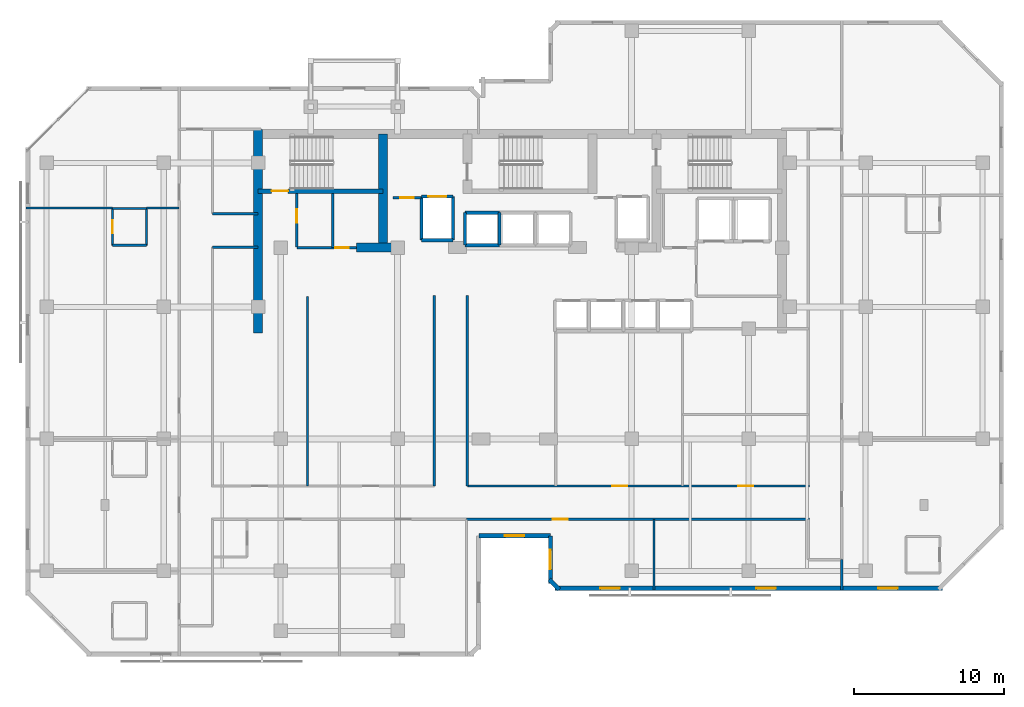
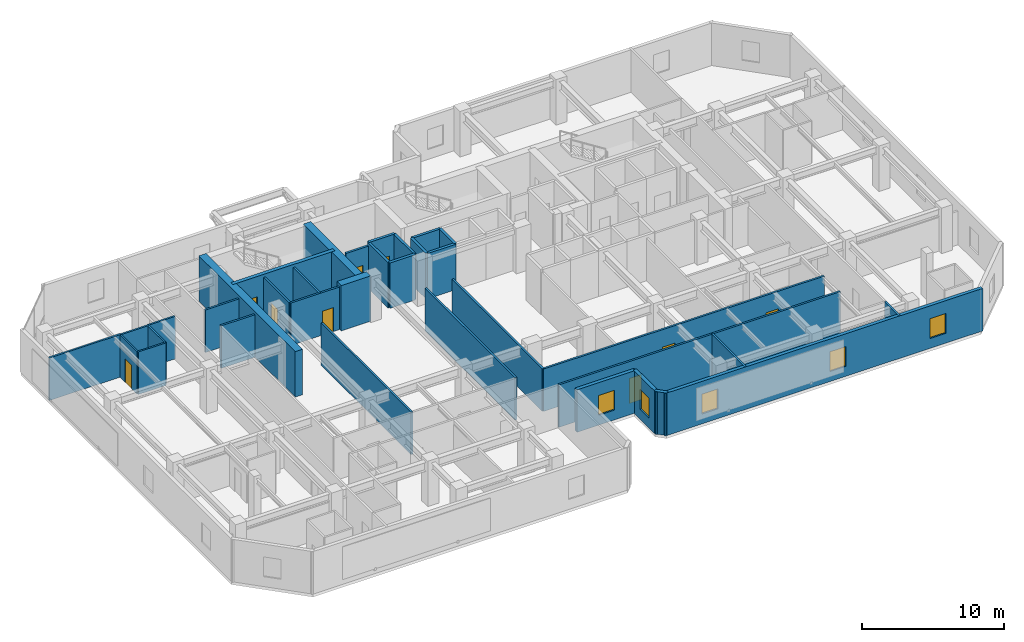
# One storey, part 5 of 10: 35 walls, 9 doors, 5 windows, 14 openings.
"""IFC4 building model written with IfcOpenShell, lengths in metres."""

import ifcopenshell
import ifcopenshell.guid

model = None  # the IFC model being written
_history = None  # IfcOwnerHistory: only IFC2X3 demands one
_inside = {}  # id of a spatial element -> (the spatial element, [elements in it])
_under = {}  # id of a project, library or spatial element -> (it, [spatial elements below it])
_declared = {}  # id of a project -> (the project, [libraries it declares])
_typed = {}  # id of a type object -> (the type object, [elements of that type])
_made_of = {}  # id of a material, layer set ... -> (it, [elements and type objects made of it])


def new_model(schema):
    """Start an empty IFC model of exactly this schema.

    Asked for "IFC4X3", IfcOpenShell would pick the latest addendum, in which some entities
    have other attributes; the version numbers below select the first issue.
    IFC2X3 requires an IfcOwnerHistory on every rooted entity: one is made here for all.
    """
    global model, _history
    if schema == "IFC4X3":
        model = ifcopenshell.file(schema_version=(4, 3, 0, 0))
    else:
        model = ifcopenshell.file(schema=schema)
    _inside.clear()
    _under.clear()
    _declared.clear()
    _typed.clear()
    _made_of.clear()
    _history = None
    if model.schema == "IFC2X3":
        org = make("IfcOrganization", Name="unknown")
        user = make(
            "IfcPersonAndOrganization",
            ThePerson=make("IfcPerson", FamilyName="unknown"),
            TheOrganization=org,
        )
        app = make(
            "IfcApplication",
            ApplicationDeveloper=org,
            Version="unknown",
            ApplicationFullName="unknown",
            ApplicationIdentifier="unknown",
        )
        _history = make(
            "IfcOwnerHistory",
            OwningUser=user,
            OwningApplication=app,
            ChangeAction="ADDED",
            CreationDate=0,
        )
    return model


def make(cls, **values):
    """One entity of the class cls with the attributes given. An attribute that is None is left unset."""
    return model.create_entity(
        cls, **{name: value for name, value in values.items() if value is not None}
    )


def rooted(cls, **values):
    """An entity with a GlobalId (a new one), such as an element, a storey or a relation."""
    return make(cls, GlobalId=ifcopenshell.guid.new(), OwnerHistory=_history, **values)


def si_unit(unit_type, name, prefix=None):
    """IfcSIUnit, for example si_unit("LENGTHUNIT", "METRE", prefix="MILLI")."""
    return make("IfcSIUnit", UnitType=unit_type, Prefix=prefix, Name=name)


def assignment(units):
    """IfcUnitAssignment: the units of a project."""
    return None if units is None else make("IfcUnitAssignment", Units=units)


def point(xyz):
    """IfcCartesianPoint."""
    return None if xyz is None else make("IfcCartesianPoint", Coordinates=xyz)


def direction(xyz):
    """IfcDirection."""
    return None if xyz is None else make("IfcDirection", DirectionRatios=xyz)


def frame(location, z_axis=None, x_axis=None):
    """IfcAxis2Placement3D, a coordinate frame: its origin and axes. An axis left out is left unset."""
    return make(
        "IfcAxis2Placement3D",
        Location=point(location),
        Axis=direction(z_axis),
        RefDirection=direction(x_axis),
    )


def frame_2d(location, x_axis=None):
    """IfcAxis2Placement2D, a coordinate frame in the plane: its origin and x axis."""
    return make(
        "IfcAxis2Placement2D", Location=point(location), RefDirection=direction(x_axis)
    )


def origin():
    """The frame at (0, 0, 0) with its axes left unset."""
    return frame((0.0, 0.0, 0.0))


def place(relative_to, where):
    """IfcLocalPlacement: puts the frame where relative to a parent placement (None: the world)."""
    return make(
        "IfcLocalPlacement", PlacementRelTo=relative_to, RelativePlacement=where
    )


def context(
    kind, dimensions, precision=None, world=None, true_north=None, identifier=None
):
    """IfcGeometricRepresentationContext, for example the 3D "Model" context."""
    return make(
        "IfcGeometricRepresentationContext",
        ContextIdentifier=identifier,
        ContextType=kind,
        CoordinateSpaceDimension=dimensions,
        Precision=precision,
        WorldCoordinateSystem=world,
        TrueNorth=true_north,
    )


def subcontext(parent, identifier, kind, view, scale=None):
    """IfcGeometricRepresentationSubContext, for example "Body" below "Model"."""
    return make(
        "IfcGeometricRepresentationSubContext",
        ContextIdentifier=identifier,
        ContextType=kind,
        ParentContext=parent,
        TargetScale=scale,
        TargetView=view,
    )


def project(units=None, contexts=None):
    """IfcProject with its units and contexts."""
    return rooted(
        "IfcProject",
        Name="project",
        RepresentationContexts=contexts,
        UnitsInContext=assignment(units),
    )


def spatial(cls, under=None, at=None, **own):
    """A site, building, storey or space (cls), placed at a placement, below another one or the project."""
    s = rooted(cls, ObjectPlacement=at, **own)
    if under is not None:
        _under.setdefault(under.id(), (under, []))[1].append(s)
    return s


def profile(cls, at=None, kind="AREA", **sizes):
    """A parametric profile (cls). Its sizes go by their IFC names, for example OverallWidth=200.0."""
    return make(cls, ProfileType=kind, Position=at, **sizes)


def rectangle(**sizes):
    """IfcRectangleProfileDef."""
    return profile("IfcRectangleProfileDef", **sizes)


def extrude(swept, where, along, depth):
    """IfcExtrudedAreaSolid: the profile swept, set in the frame where, extruded along a direction by depth."""
    return make(
        "IfcExtrudedAreaSolid",
        SweptArea=swept,
        Position=where,
        ExtrudedDirection=direction(along),
        Depth=depth,
    )


def shape(context_of_items, identifier, shape_type, items):
    """IfcShapeRepresentation: the items that make up one representation, for example the "Body"."""
    return make(
        "IfcShapeRepresentation",
        ContextOfItems=context_of_items,
        RepresentationIdentifier=identifier,
        RepresentationType=shape_type,
        Items=items,
    )


def material(Name=None, Category=None):
    """IfcMaterial."""
    return make("IfcMaterial", Name=Name, Category=Category)


def layer(
    of_material, thickness, ventilated=None, Name=None, Category=None, Priority=None
):
    """IfcMaterialLayer: one layer of a wall or slab, of a material (None: an air gap)."""
    return make(
        "IfcMaterialLayer",
        Material=of_material,
        LayerThickness=thickness,
        IsVentilated=ventilated,
        Name=Name,
        Category=Category,
        Priority=Priority,
    )


def layer_set(layers, Name=None):
    """IfcMaterialLayerSet."""
    return make("IfcMaterialLayerSet", MaterialLayers=layers, LayerSetName=Name)


def made_of(thing, what):
    """Note that an element or type object is made of a material, layer set ...; save() writes the relation."""
    if what is not None:
        _made_of.setdefault(what.id(), (what, []))[1].append(thing)
    return thing


def type_object(cls, material=None, **own):
    """A type object (cls), such as IfcWallType, which elements share."""
    return made_of(rooted(cls, **own), material)


def element(
    cls,
    number,
    at=None,
    inside=None,
    cuts=None,
    type_object=None,
    material=None,
    context=None,
    identifier="Body",
    shape_type=None,
    held_by="IfcProductDefinitionShape",
    body=None,
    shapes=None,
    **own,
):
    """One element of the class cls, such as IfcWall. Its Tag is "e" and its number.

    at: its placement. inside: the storey or other place that contains it. cuts: it is an
    opening in that element (IfcRelVoidsElement). A single representation is given by context,
    identifier, shape_type and body (its items); several are given by shapes. held_by: the class
    of the entity that holds the representations. save() writes the other relations.
    """
    e = rooted(cls, Tag="e%d" % number, ObjectPlacement=at, **own)
    if body is not None:
        shapes = [shape(context, identifier, shape_type, body)]
    if shapes is not None:
        e.Representation = make(held_by, Representations=shapes)
    if inside is not None:
        _inside.setdefault(inside.id(), (inside, []))[1].append(e)
    if cuts is not None:
        rooted(
            "IfcRelVoidsElement", RelatingBuildingElement=cuts, RelatedOpeningElement=e
        )
    if type_object is not None:
        _typed.setdefault(type_object.id(), (type_object, []))[1].append(e)
    return made_of(e, material)


def fill(opening, filler):
    """IfcRelFillsElement: the door or window that sits in an opening."""
    return rooted(
        "IfcRelFillsElement",
        RelatingOpeningElement=opening,
        RelatedBuildingElement=filler,
    )


def aggregate(whole, parts):
    """IfcRelAggregates: a whole, such as a stair, and the parts it consists of."""
    return rooted("IfcRelAggregates", RelatingObject=whole, RelatedObjects=parts)


def save(model, path):
    """Write the relations noted so far, then the file.

    IfcRelAggregates (storeys below a building ...), IfcRelContainedInSpatialStructure (elements
    in a storey), IfcRelDefinesByType, IfcRelAssociatesMaterial and IfcRelDeclares: one each for
    every whole, place, type object, material and project.
    """
    for whole, parts in _under.values():
        aggregate(whole, parts)
    for where, things in _inside.values():
        rooted(
            "IfcRelContainedInSpatialStructure",
            RelatedElements=things,
            RelatingStructure=where,
        )
    for kind, things in _typed.values():
        rooted("IfcRelDefinesByType", RelatedObjects=things, RelatingType=kind)
    for what, things in _made_of.values():
        rooted("IfcRelAssociatesMaterial", RelatedObjects=things, RelatingMaterial=what)
    for by, libraries in _declared.values():
        rooted("IfcRelDeclares", RelatingContext=by, RelatedDefinitions=libraries)
    model.write(path)


model = new_model("IFC4")

# Units and contexts
model_context = context("Model", 3, precision=1e-05, world=origin(), true_north=direction((0.0, 1.0)))
body_context = subcontext(model_context, "Body", "Model", "MODEL_VIEW")
ifc_project = project(units=[si_unit("LENGTHUNIT", "METRE"), si_unit("AREAUNIT", "SQUARE_METRE"), si_unit("VOLUMEUNIT", "CUBIC_METRE"), si_unit("PLANEANGLEUNIT", "RADIAN"), si_unit("MASSUNIT", "GRAM", prefix="KILO")], contexts=[model_context])

# Site, building, storey
site_placement = place(None, origin())
site = spatial("IfcSite", under=ifc_project, at=site_placement, CompositionType="ELEMENT")
building_placement = place(site_placement, origin())
building = spatial("IfcBuilding", under=site, at=building_placement, Name="Kestravale Grand Hotel", CompositionType="ELEMENT")
storey_placement = place(building_placement, frame((0.0, 0.0, 212.39990234375)))
storey = spatial("IfcBuildingStorey", under=building, at=storey_placement, Name="L53", CompositionType="ELEMENT", Elevation=212.39990234375)

# Walls
ifc_material_1 = material(Name="Concrete f'c 50 MPa", Category="concrete")
ifc_layer_1 = layer(ifc_material_1, 0.60009765625)
ifc_layer_set_1 = layer_set([ifc_layer_1], Name="EW-CORE-600")
wall_type_1 = type_object("IfcWallType", Name="EW-CORE-600", PredefinedType="SHEAR", material=ifc_layer_set_1)
wall_1_placement = place(storey_placement, frame((21.89990234375, 27.050048828125, 0.0), z_axis=(0.0, 0.0, 1.0), x_axis=(0.0, 1.0, 0.0)))
element("IfcWall", 1, at=wall_1_placement, inside=storey, type_object=wall_type_1, Name="L53 core shear wall W1", PredefinedType="SHEAR", context=body_context, shape_type="SweptSolid", body=[
    extrude(rectangle(XDim=13.570068359375, YDim=0.60009765625, at=frame_2d((6.78515625, 0.0))), origin(), (0.0, 0.0, 1.0), 3.900146484375),
])
wall_2_placement = place(storey_placement, frame((28.449951171875, 32.75, 0.0), z_axis=(0.0, 0.0, 1.0), x_axis=(1.0, 0.0, 0.0)))
element("IfcWall", 2, at=wall_2_placement, inside=storey, type_object=wall_type_1, Name="L53 core shear wall S1", PredefinedType="SHEAR", context=body_context, shape_type="SweptSolid", body=[
    extrude(rectangle(XDim=2.400146484375, YDim=0.60009765625, at=frame_2d((1.2001953125, 0.0))), origin(), (0.0, 0.0, 1.0), 3.900146484375),
])
wall_3_placement = place(storey_placement, frame((30.219970703125, 33.050048828125, 0.0), z_axis=(0.0, 0.0, 1.0), x_axis=(0.0, 1.0, 0.0)))
element("IfcWall", 3, at=wall_3_placement, inside=storey, type_object=wall_type_1, Name="L53 core shear wall X1", PredefinedType="SHEAR", context=body_context, shape_type="SweptSolid", body=[
    extrude(rectangle(XDim=7.27001953125, YDim=0.60009765625, at=frame_2d((3.635009765625, 0.0))), origin(), (0.0, 0.0, 1.0), 3.900146484375),
])

# Wall, opening, window
ifc_material_2 = material(Name="Precast concrete f'c 45 MPa", Category="concrete")
ifc_layer_2 = layer(ifc_material_2, 0.280029296875)
ifc_layer_set_2 = layer_set([ifc_layer_2], Name="EW-PREC-280")
wall_type_2 = type_object("IfcWallType", Name="EW-PREC-280", PredefinedType="SOLIDWALL", material=ifc_layer_set_2)
wall_4_placement = place(storey_placement, frame((36.610107421875, 13.5400390625, 0.0), z_axis=(0.0, 0.0, 1.0), x_axis=(1.0, 0.0, 0.0)))
wall_4 = element("IfcWall", 4, at=wall_4_placement, inside=storey, type_object=wall_type_2, Name="L53 fluted precast facade wall 4", PredefinedType="SOLIDWALL", context=body_context, shape_type="SweptSolid", body=[
    extrude(rectangle(XDim=4.77978515625, YDim=0.280029296875, at=frame_2d((2.389892578125, 0.0))), origin(), (0.0, 0.0, 1.0), 3.650146484375),
])
opening_1_placement = place(wall_4_placement, frame((1.739990234375, 0.0, 0.85009765625)))
opening_1 = element("IfcOpeningElement", 5, at=opening_1_placement, cuts=wall_4, Name="Opening W-GUEST-1300", PredefinedType="OPENING", context=body_context, shape_type="SweptSolid", body=[
    extrude(rectangle(XDim=1.300048828125, YDim=1.699951171875, at=frame_2d((0.64990234375, 0.85009765625))), frame((0.0, 0.14990234375, 0.0), z_axis=(0.0, -1.0, 0.0), x_axis=(1.0, 0.0, 0.0)), (0.0, 0.0, 1.0), 0.300048828125),
])
ifc_material_3 = material(Name="Insulated low-E double glazing in aluminium frame", Category="aluminium")
window_type = type_object("IfcWindowType", Name="W-GUEST-1300", PartitioningType="SINGLE_PANEL", PredefinedType="WINDOW", material=ifc_material_3)
window_1_placement = place(opening_1_placement, origin())
window_1 = element("IfcWindow", 6, at=window_1_placement, inside=storey, type_object=window_type, Name="L53 exterior window 4.1", OverallHeight=1.699951171875, OverallWidth=1.300048828125, PartitioningType="SINGLE_PANEL", PredefinedType="WINDOW", context=body_context, shape_type="SweptSolid", body=[
    extrude(rectangle(XDim=1.300048828125, YDim=1.699951171875, at=frame_2d((0.64990234375, 0.85009765625))), frame((0.0, 0.030029296875, 0.0), z_axis=(0.0, -1.0, 0.0), x_axis=(1.0, 0.0, 0.0)), (0.0, 0.0, 1.0), 0.06005859375),
])
fill(opening_1, window_1)

wall_5_placement = place(storey_placement, frame((41.389892578125, 13.5400390625, 0.0), z_axis=(0.0, 0.0, 1.0), x_axis=(0.0, -1.0, 0.0)))
wall_5 = element("IfcWall", 7, at=wall_5_placement, inside=storey, type_object=wall_type_2, Name="L53 fluted precast facade wall 5", PredefinedType="SOLIDWALL", context=body_context, shape_type="SweptSolid", body=[
    extrude(rectangle(XDim=3.179931640625, YDim=0.280029296875, at=frame_2d((1.58984375, 0.0))), origin(), (0.0, 0.0, 1.0), 3.650146484375),
])
opening_2_placement = place(wall_5_placement, frame((0.93994140625, 0.0, 0.85009765625)))
opening_2 = element("IfcOpeningElement", 8, at=opening_2_placement, cuts=wall_5, Name="Opening W-GUEST-1300", PredefinedType="OPENING", context=body_context, shape_type="SweptSolid", body=[
    extrude(rectangle(XDim=1.300048828125, YDim=1.699951171875, at=frame_2d((0.64990234375, 0.85009765625))), frame((0.0, 0.14990234375, 0.0), z_axis=(0.0, -1.0, 0.0), x_axis=(1.0, 0.0, 0.0)), (0.0, 0.0, 1.0), 0.300048828125),
])
window_2_placement = place(opening_2_placement, origin())
window_2 = element("IfcWindow", 9, at=window_2_placement, inside=storey, type_object=window_type, Name="L53 exterior window 5.1", OverallHeight=1.699951171875, OverallWidth=1.300048828125, PartitioningType="SINGLE_PANEL", PredefinedType="WINDOW", context=body_context, shape_type="SweptSolid", body=[
    extrude(rectangle(XDim=1.300048828125, YDim=1.699951171875, at=frame_2d((0.64990234375, 0.85009765625))), frame((0.0, 0.030029296875, 0.0), z_axis=(0.0, -1.0, 0.0), x_axis=(1.0, 0.0, 0.0)), (0.0, 0.0, 1.0), 0.06005859375),
])
fill(opening_2, window_2)

# Wall
wall_6_placement = place(storey_placement, frame((41.32080078125, 10.627197265625, 0.0), z_axis=(0.0, 0.0, 1.0), x_axis=(0.707106781187, -0.707106781187, 0.0)))
element("IfcWall", 10, at=wall_6_placement, inside=storey, type_object=wall_type_2, Name="L53 fluted precast facade wall 6", PredefinedType="SOLIDWALL", context=body_context, shape_type="SweptSolid", body=[
    extrude(rectangle(XDim=0.928466796875, YDim=0.280029296875, at=frame_2d((0.46435546875, 0.0))), origin(), (0.0, 0.0, 1.0), 3.650146484375),
])

# Wall, openings, windows
wall_7_placement = place(storey_placement, frame((41.7099609375, 10.0400390625, 0.0), z_axis=(0.0, 0.0, 1.0), x_axis=(1.0, 0.0, 0.0)))
wall_7 = element("IfcWall", 11, at=wall_7_placement, inside=storey, type_object=wall_type_2, Name="L53 fluted precast facade wall 7", PredefinedType="SOLIDWALL", context=body_context, shape_type="SweptSolid", body=[
    extrude(rectangle(XDim=25.830078125, YDim=0.280029296875, at=frame_2d((12.9150390625, 0.0))), origin(), (0.0, 0.0, 1.0), 3.650146484375),
])
opening_3_placement = place(wall_7_placement, frame((3.0048828125, 0.0, 0.85009765625)))
opening_3 = element("IfcOpeningElement", 12, at=opening_3_placement, cuts=wall_7, Name="Opening W-GUEST-1300", PredefinedType="OPENING", context=body_context, shape_type="SweptSolid", body=[
    extrude(rectangle(XDim=1.300048828125, YDim=1.699951171875, at=frame_2d((0.64990234375, 0.85009765625))), frame((0.0, 0.14990234375, 0.0), z_axis=(0.0, -1.0, 0.0), x_axis=(1.0, 0.0, 0.0)), (0.0, 0.0, 1.0), 0.300048828125),
])
opening_4_placement = place(wall_7_placement, frame((13.4150390625, 0.0, 0.85009765625)))
opening_4 = element("IfcOpeningElement", 13, at=opening_4_placement, cuts=wall_7, Name="Opening W-GUEST-1300", PredefinedType="OPENING", context=body_context, shape_type="SweptSolid", body=[
    extrude(rectangle(XDim=1.300048828125, YDim=1.699951171875, at=frame_2d((0.64990234375, 0.85009765625))), frame((0.0, 0.14990234375, 0.0), z_axis=(0.0, -1.0, 0.0), x_axis=(1.0, 0.0, 0.0)), (0.0, 0.0, 1.0), 0.300048828125),
])
opening_5_placement = place(wall_7_placement, frame((21.52490234375, 0.0, 0.85009765625)))
opening_5 = element("IfcOpeningElement", 14, at=opening_5_placement, cuts=wall_7, Name="Opening W-GUEST-1300", PredefinedType="OPENING", context=body_context, shape_type="SweptSolid", body=[
    extrude(rectangle(XDim=1.300048828125, YDim=1.699951171875, at=frame_2d((0.64990234375, 0.85009765625))), frame((0.0, 0.14990234375, 0.0), z_axis=(0.0, -1.0, 0.0), x_axis=(1.0, 0.0, 0.0)), (0.0, 0.0, 1.0), 0.300048828125),
])
window_3_placement = place(opening_3_placement, origin())
window_3 = element("IfcWindow", 15, at=window_3_placement, inside=storey, type_object=window_type, Name="L53 exterior window 7.1", OverallHeight=1.699951171875, OverallWidth=1.300048828125, PartitioningType="SINGLE_PANEL", PredefinedType="WINDOW", context=body_context, shape_type="SweptSolid", body=[
    extrude(rectangle(XDim=1.300048828125, YDim=1.699951171875, at=frame_2d((0.64990234375, 0.85009765625))), frame((0.0, 0.030029296875, 0.0), z_axis=(0.0, -1.0, 0.0), x_axis=(1.0, 0.0, 0.0)), (0.0, 0.0, 1.0), 0.06005859375),
])
fill(opening_3, window_3)
window_4_placement = place(opening_4_placement, origin())
window_4 = element("IfcWindow", 16, at=window_4_placement, inside=storey, type_object=window_type, Name="L53 exterior window 7.2", OverallHeight=1.699951171875, OverallWidth=1.300048828125, PartitioningType="SINGLE_PANEL", PredefinedType="WINDOW", context=body_context, shape_type="SweptSolid", body=[
    extrude(rectangle(XDim=1.300048828125, YDim=1.699951171875, at=frame_2d((0.64990234375, 0.85009765625))), frame((0.0, 0.030029296875, 0.0), z_axis=(0.0, -1.0, 0.0), x_axis=(1.0, 0.0, 0.0)), (0.0, 0.0, 1.0), 0.06005859375),
])
fill(opening_4, window_4)
window_5_placement = place(opening_5_placement, origin())
window_5 = element("IfcWindow", 17, at=window_5_placement, inside=storey, type_object=window_type, Name="L53 exterior window 7.3", OverallHeight=1.699951171875, OverallWidth=1.300048828125, PartitioningType="SINGLE_PANEL", PredefinedType="WINDOW", context=body_context, shape_type="SweptSolid", body=[
    extrude(rectangle(XDim=1.300048828125, YDim=1.699951171875, at=frame_2d((0.64990234375, 0.85009765625))), frame((0.0, 0.030029296875, 0.0), z_axis=(0.0, -1.0, 0.0), x_axis=(1.0, 0.0, 0.0)), (0.0, 0.0, 1.0), 0.06005859375),
])
fill(opening_5, window_5)

# Wall, opening, door
ifc_material_4 = material(Name="Concrete f'c 45 MPa", Category="concrete")
ifc_layer_3 = layer(ifc_material_4, 0.300048828125)
ifc_layer_set_3 = layer_set([ifc_layer_3], Name="EW-STAIR-300")
wall_type_3 = type_object("IfcWallType", Name="EW-STAIR-300", PredefinedType="SHEAR", material=ifc_layer_set_3)
wall_8_placement = place(storey_placement, frame((21.89990234375, 36.52001953125, 0.0), z_axis=(0.0, 0.0, 1.0), x_axis=(1.0, 0.0, 0.0)))
wall_8 = element("IfcWall", 18, at=wall_8_placement, inside=storey, type_object=wall_type_3, Name="L53 stair enclosure shear wall SST1", PredefinedType="SHEAR", context=body_context, shape_type="SweptSolid", body=[
    extrude(rectangle(XDim=8.320068359375, YDim=0.300048828125, at=frame_2d((4.16015625, 0.0))), origin(), (0.0, 0.0, 1.0), 3.900146484375),
])
opening_6_placement = place(wall_8_placement, frame((0.89990234375, 0.0, 0.0)))
opening_6 = element("IfcOpeningElement", 19, at=opening_6_placement, cuts=wall_8, Name="Opening D-ST-1100", PredefinedType="OPENING", context=body_context, shape_type="SweptSolid", body=[
    extrude(rectangle(XDim=1.10009765625, YDim=2.14990234375, at=frame_2d((0.550048828125, 1.074951171875))), frame((0.0, 0.159912109375, 0.0), z_axis=(0.0, -1.0, 0.0), x_axis=(1.0, 0.0, 0.0)), (0.0, 0.0, 1.0), 0.320068359375),
])
ifc_material_5 = material(Name="Galvanised 90-minute fire-rated steel stair door", Category="steel")
door_type_1 = type_object("IfcDoorType", Name="D-ST-1100", OperationType="NOTDEFINED", PredefinedType="DOOR", material=ifc_material_5)
door_1_placement = place(opening_6_placement, origin())
door_1 = element("IfcDoor", 20, at=door_1_placement, inside=storey, type_object=door_type_1, Name="L53 Stair ST-1 fire door", OperationType="SINGLE_SWING_RIGHT", OverallHeight=2.14990234375, OverallWidth=1.10009765625, PredefinedType="DOOR", context=body_context, shape_type="SweptSolid", body=[
    extrude(rectangle(XDim=1.10009765625, YDim=2.14990234375, at=frame_2d((0.550048828125, 1.074951171875))), frame((0.0, 0.02490234375, 0.0), z_axis=(0.0, -1.0, 0.0), x_axis=(1.0, 0.0, 0.0)), (0.0, 0.0, 1.0), 0.050048828125),
])
fill(opening_6, door_1)

ifc_material_6 = material(Name="Acoustic fire-rated gypsum board partition", Category="other")
ifc_layer_4 = layer(ifc_material_6, 0.159912109375)
ifc_layer_set_4 = layer_set([ifc_layer_4], Name="IW-CORR-160")
wall_type_4 = type_object("IfcWallType", Name="IW-CORR-160", PredefinedType="PARTITIONING", material=ifc_layer_set_4)
wall_9_placement = place(storey_placement, frame((24.47998046875, 32.800048828125, 0.0), z_axis=(0.0, 0.0, 1.0), x_axis=(0.0, 1.0, 0.0)))
wall_9 = element("IfcWall", 21, at=wall_9_placement, inside=storey, type_object=wall_type_4, Name="L53 west core vestibule wall", PredefinedType="PARTITIONING", context=body_context, shape_type="SweptSolid", body=[
    extrude(rectangle(XDim=3.570068359375, YDim=0.159912109375, at=frame_2d((1.78515625, 0.0))), origin(), (0.0, 0.0, 1.0), 3.650146484375),
])
opening_7_placement = place(wall_9_placement, frame((1.603515625, 0.0, 0.0)))
opening_7 = element("IfcOpeningElement", 22, at=opening_7_placement, cuts=wall_9, Name="Opening D-SH-900", PredefinedType="OPENING", context=body_context, shape_type="SweptSolid", body=[
    extrude(rectangle(XDim=0.89990234375, YDim=2.10009765625, at=frame_2d((0.449951171875, 1.050048828125))), frame((0.0, 0.08984375, 0.0), z_axis=(0.0, -1.0, 0.0), x_axis=(1.0, 0.0, 0.0)), (0.0, 0.0, 1.0), 0.179931640625),
])
ifc_material_7 = material(Name="Galvanised 90-minute shaft and service fire door", Category="steel")
door_type_2 = type_object("IfcDoorType", Name="D-SH-900", OperationType="NOTDEFINED", PredefinedType="DOOR", material=ifc_material_7)
door_2_placement = place(opening_7_placement, origin())
door_2 = element("IfcDoor", 23, at=door_2_placement, inside=storey, type_object=door_type_2, Name="D-L53-HK", OperationType="SINGLE_SWING_RIGHT", OverallHeight=2.10009765625, OverallWidth=0.89990234375, PredefinedType="DOOR", context=body_context, shape_type="SweptSolid", body=[
    extrude(rectangle(XDim=0.89990234375, YDim=2.10009765625, at=frame_2d((0.449951171875, 1.050048828125))), frame((0.0, 0.02490234375, 0.0), z_axis=(0.0, -1.0, 0.0), x_axis=(1.0, 0.0, 0.0)), (0.0, 0.0, 1.0), 0.050048828125),
])
fill(opening_7, door_2)

wall_10_placement = place(storey_placement, frame((24.47998046875, 32.75, 0.0), z_axis=(0.0, 0.0, 1.0), x_axis=(1.0, 0.0, 0.0)))
wall_10 = element("IfcWall", 24, at=wall_10_placement, inside=storey, type_object=wall_type_4, Name="W-L53-CWS", PredefinedType="PARTITIONING", context=body_context, shape_type="SweptSolid", body=[
    extrude(rectangle(XDim=3.969970703125, YDim=0.159912109375, at=frame_2d((1.98486328125, 0.0))), origin(), (0.0, 0.0, 1.0), 3.650146484375),
])
opening_8_placement = place(wall_10_placement, frame((2.574951171875, 0.0, 0.0)))
opening_8 = element("IfcOpeningElement", 25, at=opening_8_placement, cuts=wall_10, Name="Opening D-BATH-880", PredefinedType="OPENING", context=body_context, shape_type="SweptSolid", body=[
    extrude(rectangle(XDim=0.8798828125, YDim=2.050048828125, at=frame_2d((0.43994140625, 1.02490234375))), frame((0.0, 0.08984375, 0.0), z_axis=(0.0, -1.0, 0.0), x_axis=(1.0, 0.0, 0.0)), (0.0, 0.0, 1.0), 0.179931640625),
])
ifc_material_8 = material(Name="Moisture-sealed walnut en-suite bathroom door", Category="wood")
door_type_3 = type_object("IfcDoorType", Name="D-BATH-880", OperationType="NOTDEFINED", PredefinedType="DOOR", material=ifc_material_8)
door_3_placement = place(opening_8_placement, origin())
door_3 = element("IfcDoor", 26, at=door_3_placement, inside=storey, type_object=door_type_3, Name="D-L53-SWC", OperationType="SINGLE_SWING_RIGHT", OverallHeight=2.050048828125, OverallWidth=0.8798828125, PredefinedType="DOOR", context=body_context, shape_type="SweptSolid", body=[
    extrude(rectangle(XDim=0.8798828125, YDim=2.050048828125, at=frame_2d((0.43994140625, 1.02490234375))), frame((0.0, 0.02490234375, 0.0), z_axis=(0.0, -1.0, 0.0), x_axis=(1.0, 0.0, 0.0)), (0.0, 0.0, 1.0), 0.050048828125),
])
fill(opening_8, door_3)

# Wall, openings, doors
wall_11_placement = place(storey_placement, frame((35.85009765625, 16.860107421875, 0.0), z_axis=(0.0, 0.0, 1.0), x_axis=(1.0, 0.0, 0.0)))
wall_11 = element("IfcWall", 27, at=wall_11_placement, inside=storey, type_object=wall_type_4, Name="W-L53-CE-N", PredefinedType="PARTITIONING", context=body_context, shape_type="SweptSolid", body=[
    extrude(rectangle(XDim=22.7998046875, YDim=0.159912109375, at=frame_2d((11.39990234375, 0.0))), origin(), (0.0, 0.0, 1.0), 3.650146484375),
])
opening_9_placement = place(wall_11_placement, frame((9.64990234375, 0.0, 0.0)))
opening_9 = element("IfcOpeningElement", 28, at=opening_9_placement, cuts=wall_11, Name="Opening D-GUEST-1000", PredefinedType="OPENING", context=body_context, shape_type="SweptSolid", body=[
    extrude(rectangle(XDim=1.0, YDim=2.14990234375, at=frame_2d((0.5, 1.074951171875))), frame((0.0, 0.08984375, 0.0), z_axis=(0.0, -1.0, 0.0), x_axis=(1.0, 0.0, 0.0)), (0.0, 0.0, 1.0), 0.179931640625),
])
opening_10_placement = place(wall_11_placement, frame((18.050048828125, 0.0, 0.0)))
opening_10 = element("IfcOpeningElement", 29, at=opening_10_placement, cuts=wall_11, Name="Opening D-GUEST-1000", PredefinedType="OPENING", context=body_context, shape_type="SweptSolid", body=[
    extrude(rectangle(XDim=1.0, YDim=2.14990234375, at=frame_2d((0.5, 1.074951171875))), frame((0.0, 0.08984375, 0.0), z_axis=(0.0, -1.0, 0.0), x_axis=(1.0, 0.0, 0.0)), (0.0, 0.0, 1.0), 0.179931640625),
])
ifc_material_9 = material(Name="Accessible walnut veneer hotel entrance fire door", Category="wood")
door_type_4 = type_object("IfcDoorType", Name="D-GUEST-1000", OperationType="NOTDEFINED", PredefinedType="DOOR", material=ifc_material_9)
door_4_placement = place(opening_9_placement, origin())
door_4 = element("IfcDoor", 30, at=door_4_placement, inside=storey, type_object=door_type_4, Name="D-L53-RECL-E1", OperationType="SINGLE_SWING_LEFT", OverallHeight=2.14990234375, OverallWidth=1.0, PredefinedType="DOOR", context=body_context, shape_type="SweptSolid", body=[
    extrude(rectangle(XDim=1.0, YDim=2.14990234375, at=frame_2d((0.5, 1.074951171875))), frame((0.0, 0.02490234375, 0.0), z_axis=(0.0, -1.0, 0.0), x_axis=(1.0, 0.0, 0.0)), (0.0, 0.0, 1.0), 0.050048828125),
])
fill(opening_9, door_4)
door_5_placement = place(opening_10_placement, origin())
door_5 = element("IfcDoor", 31, at=door_5_placement, inside=storey, type_object=door_type_4, Name="D-L53-RECL-E2", OperationType="SINGLE_SWING_RIGHT", OverallHeight=2.14990234375, OverallWidth=1.0, PredefinedType="DOOR", context=body_context, shape_type="SweptSolid", body=[
    extrude(rectangle(XDim=1.0, YDim=2.14990234375, at=frame_2d((0.5, 1.074951171875))), frame((0.0, 0.02490234375, 0.0), z_axis=(0.0, -1.0, 0.0), x_axis=(1.0, 0.0, 0.0)), (0.0, 0.0, 1.0), 0.050048828125),
])
fill(opening_10, door_5)

# Walls
for number, where, z_axis, x_axis, name in (
    (32, (33.64990234375, 16.860107421875, 0.0), (0.0, 0.0, 1.0), (0.0, 1.0, 0.0), "W-L53-TRUNK-W"),
    (33, (35.85009765625, 16.860107421875, 0.0), (0.0, 0.0, 1.0), (0.0, 1.0, 0.0), "W-L53-TRUNK-E"),
):
    element("IfcWall", number, at=place(storey_placement, frame(where, z_axis=z_axis, x_axis=x_axis)), inside=storey, type_object=wall_type_4, Name=name, PredefinedType="PARTITIONING", context=body_context, shape_type="SweptSolid", body=[
        extrude(rectangle(XDim=12.68994140625, YDim=0.159912109375, at=frame_2d((6.344970703125, 0.0))), origin(), (0.0, 0.0, 1.0), 3.650146484375),
    ])

# Wall, opening, door
wall_12_placement = place(storey_placement, frame((35.800048828125, 14.639892578125, 0.0), z_axis=(0.0, 0.0, 1.0), x_axis=(1.0, 0.0, 0.0)))
wall_12 = element("IfcWall", 34, at=wall_12_placement, inside=storey, type_object=wall_type_4, Name="W-L53-CE-S", PredefinedType="PARTITIONING", context=body_context, shape_type="SweptSolid", body=[
    extrude(rectangle(XDim=22.849853515625, YDim=0.159912109375, at=frame_2d((11.4248046875, 0.0))), origin(), (0.0, 0.0, 1.0), 3.650146484375),
])
opening_11_placement = place(wall_12_placement, frame((5.74755859375, 0.0, 0.0)))
opening_11 = element("IfcOpeningElement", 35, at=opening_11_placement, cuts=wall_12, Name="Opening D-GUEST-1000", PredefinedType="OPENING", context=body_context, shape_type="SweptSolid", body=[
    extrude(rectangle(XDim=1.0, YDim=2.14990234375, at=frame_2d((0.5, 1.074951171875))), frame((0.0, 0.08984375, 0.0), z_axis=(0.0, -1.0, 0.0), x_axis=(1.0, 0.0, 0.0)), (0.0, 0.0, 1.0), 0.179931640625),
])
door_6_placement = place(opening_11_placement, origin())
door_6 = element("IfcDoor", 36, at=door_6_placement, inside=storey, type_object=door_type_4, Name="D-L53-AME", OperationType="SINGLE_SWING_RIGHT", OverallHeight=2.14990234375, OverallWidth=1.0, PredefinedType="DOOR", context=body_context, shape_type="SweptSolid", body=[
    extrude(rectangle(XDim=1.0, YDim=2.14990234375, at=frame_2d((0.5, 1.074951171875))), frame((0.0, 0.02490234375, 0.0), z_axis=(0.0, -1.0, 0.0), x_axis=(1.0, 0.0, 0.0)), (0.0, 0.0, 1.0), 0.050048828125),
])
fill(opening_11, door_6)

# Walls
for number, where, z_axis, x_axis, name in (
    (37, (18.860107421875, 35.02001953125, 0.0), (0.0, 0.0, 1.0), (1.0, 0.0, 0.0), "W-L53-SW-CN"),
    (38, (18.860107421875, 32.780029296875, 0.0), (0.0, 0.0, 1.0), (1.0, 0.0, 0.0), "W-L53-SW-CS"),
):
    element("IfcWall", number, at=place(storey_placement, frame(where, z_axis=z_axis, x_axis=x_axis)), inside=storey, type_object=wall_type_4, Name=name, PredefinedType="PARTITIONING", context=body_context, shape_type="SweptSolid", body=[
        extrude(rectangle(XDim=3.039794921875, YDim=0.159912109375, at=frame_2d((1.52001953125, 0.0))), origin(), (0.0, 0.0, 1.0), 3.650146484375),
    ])

# Wall, opening, door
ifc_material_10 = material(Name="Fire-rated gypsum board on steel studs with mineral wool", Category="steel")
ifc_layer_5 = layer(ifc_material_10, 0.179931640625)
ifc_layer_set_5 = layer_set([ifc_layer_5], Name="IW-FSAE-180")
wall_type_5 = type_object("IfcWallType", Name="IW-FSAE-180", PredefinedType="PARTITIONING", material=ifc_layer_set_5)
wall_13_placement = place(storey_placement, frame((30.89990234375, 36.080078125, 0.0), z_axis=(0.0, 0.0, 1.0), x_axis=(1.0, 0.0, 0.0)))
wall_13 = element("IfcWall", 39, at=wall_13_placement, inside=storey, type_object=wall_type_5, Name="L53 FSAE Lobby 1 smoke barrier", PredefinedType="PARTITIONING", context=body_context, shape_type="SweptSolid", body=[
    extrude(rectangle(XDim=1.85009765625, YDim=0.179931640625, at=frame_2d((0.925048828125, 0.0))), origin(), (0.0, 0.0, 1.0), 3.650146484375),
])
opening_12_placement = place(wall_13_placement, frame((0.47998046875, 0.0, 0.0)))
opening_12 = element("IfcOpeningElement", 40, at=opening_12_placement, cuts=wall_13, Name="Opening D-FSAE-1000", PredefinedType="OPENING", context=body_context, shape_type="SweptSolid", body=[
    extrude(rectangle(XDim=0.89990234375, YDim=2.14990234375, at=frame_2d((0.449951171875, 1.074951171875))), frame((0.0, 0.099853515625, 0.0), z_axis=(0.0, -1.0, 0.0), x_axis=(1.0, 0.0, 0.0)), (0.0, 0.0, 1.0), 0.199951171875),
])
ifc_material_11 = material(Name="Smoke-gasketed FSAE lobby fire door", Category="steel")
door_type_5 = type_object("IfcDoorType", Name="D-FSAE-1000", OperationType="NOTDEFINED", PredefinedType="DOOR", material=ifc_material_11)
door_7_placement = place(opening_12_placement, origin())
door_7 = element("IfcDoor", 41, at=door_7_placement, inside=storey, type_object=door_type_5, Name="L53 FSAE Lobby 1 fire door", OperationType="SINGLE_SWING_RIGHT", OverallHeight=2.14990234375, OverallWidth=0.89990234375, PredefinedType="DOOR", context=body_context, shape_type="SweptSolid", body=[
    extrude(rectangle(XDim=0.89990234375, YDim=2.14990234375, at=frame_2d((0.449951171875, 1.074951171875))), frame((0.0, 0.02490234375, 0.0), z_axis=(0.0, -1.0, 0.0), x_axis=(1.0, 0.0, 0.0)), (0.0, 0.0, 1.0), 0.050048828125),
])
fill(opening_12, door_7)

ifc_material_12 = material(Name="Moisture-resistant tile-backer plumbing chase wall", Category="other")
ifc_layer_6 = layer(ifc_material_12, 0.139892578125)
ifc_layer_set_6 = layer_set([ifc_layer_6], Name="IW-PLB-140")
wall_type_6 = type_object("IfcWallType", Name="IW-PLB-140", PredefinedType="PLUMBINGWALL", material=ifc_layer_set_6)
wall_14_placement = place(storey_placement, frame((12.199951171875, 32.909912109375, 0.0), z_axis=(0.0, 0.0, 1.0), x_axis=(0.0, 1.0, 0.0)))
wall_14 = element("IfcWall", 42, at=wall_14_placement, inside=storey, type_object=wall_type_6, Name="W-L53-U04-BW", PredefinedType="PLUMBINGWALL", context=body_context, shape_type="SweptSolid", body=[
    extrude(rectangle(XDim=2.4501953125, YDim=0.139892578125, at=frame_2d((1.22509765625, 0.0))), origin(), (0.0, 0.0, 1.0), 3.650146484375),
])
opening_13_placement = place(wall_14_placement, frame((0.784912109375, 0.0, 0.0)))
opening_13 = element("IfcOpeningElement", 43, at=opening_13_placement, cuts=wall_14, Name="Opening D-BATH-880", PredefinedType="OPENING", context=body_context, shape_type="SweptSolid", body=[
    extrude(rectangle(XDim=0.8798828125, YDim=2.050048828125, at=frame_2d((0.43994140625, 1.02490234375))), frame((0.0, 0.079833984375, 0.0), z_axis=(0.0, -1.0, 0.0), x_axis=(1.0, 0.0, 0.0)), (0.0, 0.0, 1.0), 0.159912109375),
])
door_8_placement = place(opening_13_placement, origin())
door_8 = element("IfcDoor", 44, at=door_8_placement, inside=storey, type_object=door_type_3, Name="D-L53-U04-BATH", OperationType="SINGLE_SWING_LEFT", OverallHeight=2.050048828125, OverallWidth=0.8798828125, PredefinedType="DOOR", context=body_context, shape_type="SweptSolid", body=[
    extrude(rectangle(XDim=0.8798828125, YDim=2.050048828125, at=frame_2d((0.43994140625, 1.02490234375))), frame((0.0, 0.02490234375, 0.0), z_axis=(0.0, -1.0, 0.0), x_axis=(1.0, 0.0, 0.0)), (0.0, 0.0, 1.0), 0.050048828125),
])
fill(opening_13, door_8)

# Walls
wall_15_placement = place(storey_placement, frame((14.449951171875, 32.909912109375, 0.0), z_axis=(0.0, 0.0, 1.0), x_axis=(0.0, 1.0, 0.0)))
element("IfcWall", 45, at=wall_15_placement, inside=storey, type_object=wall_type_6, Name="W-L53-U04-BE", PredefinedType="PLUMBINGWALL", context=body_context, shape_type="SweptSolid", body=[
    extrude(rectangle(XDim=2.4501953125, YDim=0.139892578125, at=frame_2d((1.22509765625, 0.0))), origin(), (0.0, 0.0, 1.0), 3.650146484375),
])
for number, where, z_axis, x_axis, name in (
    (46, (12.199951171875, 32.909912109375, 0.0), (0.0, 0.0, 1.0), (1.0, 0.0, 0.0), "W-L53-U04-BS"),
    (47, (12.199951171875, 35.360107421875, 0.0), (0.0, 0.0, 1.0), (1.0, 0.0, 0.0), "W-L53-U04-BN"),
):
    element("IfcWall", number, at=place(storey_placement, frame(where, z_axis=z_axis, x_axis=x_axis)), inside=storey, type_object=wall_type_6, Name=name, PredefinedType="PLUMBINGWALL", context=body_context, shape_type="SweptSolid", body=[
        extrude(rectangle(XDim=2.25, YDim=0.139892578125, at=frame_2d((1.125, 0.0))), origin(), (0.0, 0.0, 1.0), 3.650146484375),
    ])
ifc_material_13 = material(Name="Concrete f'c 45 MPa", Category="concrete")
ifc_layer_7 = layer(ifc_material_13, 0.199951171875)
ifc_layer_set_7 = layer_set([ifc_layer_7], Name="IW-SHAFT-200")
wall_type_7 = type_object("IfcWallType", Name="IW-SHAFT-200", PredefinedType="SHEAR", material=ifc_layer_set_7)
for number, where, z_axis, x_axis, name in (
    (48, (35.679931640625, 32.919921875, 0.0), (0.0, 0.0, 1.0), (0.0, 1.0, 0.0), "L53 PL-X1 west shaft wall"),
    (49, (38.0, 32.919921875, 0.0), (0.0, 0.0, 1.0), (0.0, 1.0, 0.0), "L53 PL-X2 west shaft wall"),
):
    element("IfcWall", number, at=place(storey_placement, frame(where, z_axis=z_axis, x_axis=x_axis)), inside=storey, type_object=wall_type_7, Name=name, PredefinedType="SHEAR", context=body_context, shape_type="SweptSolid", body=[
        extrude(rectangle(XDim=2.16015625, YDim=0.199951171875, at=frame_2d((1.080078125, 0.0))), origin(), (0.0, 0.0, 1.0), 3.900146484375),
    ])
for number, where, z_axis, x_axis, name in (
    (50, (32.804931640625, 33.2451171875, 0.0), (0.0, 0.0, 1.0), (0.0, 1.0, 0.0), "L53 FL-1 west shaft wall"),
    (51, (34.89501953125, 33.2451171875, 0.0), (0.0, 0.0, 1.0), (0.0, 1.0, 0.0), "L53 FL-1 east shaft wall"),
):
    element("IfcWall", number, at=place(storey_placement, frame(where, z_axis=z_axis, x_axis=x_axis)), inside=storey, type_object=wall_type_7, Name=name, PredefinedType="SHEAR", context=body_context, shape_type="SweptSolid", body=[
        extrude(rectangle(XDim=2.909912109375, YDim=0.199951171875, at=frame_2d((1.455078125, 0.0))), origin(), (0.0, 0.0, 1.0), 3.900146484375),
    ])
ifc_material_14 = material(Name="Concrete f'c 45 MPa", Category="concrete")
ifc_layer_8 = layer(ifc_material_14, 0.219970703125)
ifc_layer_set_8 = layer_set([ifc_layer_8], Name="IW-SHAFT-220")
wall_type_8 = type_object("IfcWallType", Name="IW-SHAFT-220", PredefinedType="SHEAR", material=ifc_layer_set_8)
for number, where, z_axis, x_axis, name in (
    (52, (35.679931640625, 35.080078125, 0.0), (0.0, 0.0, 1.0), (1.0, 0.0, 0.0), "L53 PL-X1 north shaft wall"),
    (53, (35.679931640625, 32.919921875, 0.0), (0.0, 0.0, 1.0), (1.0, 0.0, 0.0), "L53 PL-X1 south shaft wall"),
):
    element("IfcWall", number, at=place(storey_placement, frame(where, z_axis=z_axis, x_axis=x_axis)), inside=storey, type_object=wall_type_8, Name=name, PredefinedType="SHEAR", context=body_context, shape_type="SweptSolid", body=[
        extrude(rectangle(XDim=2.320068359375, YDim=0.219970703125, at=frame_2d((1.16015625, 0.0))), origin(), (0.0, 0.0, 1.0), 3.900146484375),
    ])

# Wall, opening, door
wall_16_placement = place(storey_placement, frame((32.804931640625, 36.155029296875, 0.0), z_axis=(0.0, 0.0, 1.0), x_axis=(1.0, 0.0, 0.0)))
wall_16 = element("IfcWall", 54, at=wall_16_placement, inside=storey, type_object=wall_type_8, Name="L53 FL-1 north shaft wall", PredefinedType="SHEAR", context=body_context, shape_type="SweptSolid", body=[
    extrude(rectangle(XDim=2.090087890625, YDim=0.219970703125, at=frame_2d((1.044921875, 0.0))), origin(), (0.0, 0.0, 1.0), 3.900146484375),
])
opening_14_placement = place(wall_16_placement, frame((0.445068359375, 0.0, 0.0)))
opening_14 = element("IfcOpeningElement", 55, at=opening_14_placement, cuts=wall_16, Name="Opening LD-FSAE-1200", PredefinedType="OPENING", context=body_context, shape_type="SweptSolid", body=[
    extrude(rectangle(XDim=1.199951171875, YDim=2.14990234375, at=frame_2d((0.60009765625, 1.074951171875))), frame((0.0, 0.119873046875, 0.0), z_axis=(0.0, -1.0, 0.0), x_axis=(1.0, 0.0, 0.0)), (0.0, 0.0, 1.0), 0.239990234375),
])
ifc_material_15 = material(Name="Stainless fire-service sliding elevator landing door", Category="steel")
door_type_6 = type_object("IfcDoorType", Name="LD-FSAE-1200", OperationType="NOTDEFINED", PredefinedType="DOOR", material=ifc_material_15)
door_9_placement = place(opening_14_placement, origin())
door_9 = element("IfcDoor", 56, at=door_9_placement, inside=storey, type_object=door_type_6, Name="L53 FL-1 elevator landing sliding door", OperationType="DOUBLE_DOOR_SLIDING", OverallHeight=2.14990234375, OverallWidth=1.199951171875, PredefinedType="DOOR", context=body_context, shape_type="SweptSolid", body=[
    extrude(rectangle(XDim=1.199951171875, YDim=2.14990234375, at=frame_2d((0.60009765625, 1.074951171875))), frame((0.0, 0.02490234375, 0.0), z_axis=(0.0, -1.0, 0.0), x_axis=(1.0, 0.0, 0.0)), (0.0, 0.0, 1.0), 0.050048828125),
])
fill(opening_14, door_9)

# Walls
wall_17_placement = place(storey_placement, frame((32.804931640625, 33.2451171875, 0.0), z_axis=(0.0, 0.0, 1.0), x_axis=(1.0, 0.0, 0.0)))
element("IfcWall", 57, at=wall_17_placement, inside=storey, type_object=wall_type_8, Name="L53 FL-1 south shaft wall", PredefinedType="SHEAR", context=body_context, shape_type="SweptSolid", body=[
    extrude(rectangle(XDim=2.090087890625, YDim=0.219970703125, at=frame_2d((1.044921875, 0.0))), origin(), (0.0, 0.0, 1.0), 3.900146484375),
])
ifc_material_16 = material(Name="Double-stud STC 52 acoustic demising partition", Category="other")
ifc_layer_9 = layer(ifc_material_16, 0.14990234375)
ifc_layer_set_9 = layer_set([ifc_layer_9], Name="IW-UNIT-150")
wall_type_9 = type_object("IfcWallType", Name="IW-UNIT-150", PredefinedType="PARTITIONING", material=ifc_layer_set_9)
wall_18_placement = place(storey_placement, frame((26.8798828125, 32.75, 0.0), z_axis=(0.0, 0.0, 1.0), x_axis=(0.0, 1.0, 0.0)))
element("IfcWall", 58, at=wall_18_placement, inside=storey, type_object=wall_type_9, Name="W-L53-CC3-V", PredefinedType="PARTITIONING", context=body_context, shape_type="SweptSolid", body=[
    extrude(rectangle(XDim=3.6201171875, YDim=0.14990234375, at=frame_2d((1.81005859375, 0.0))), origin(), (0.0, 0.0, 1.0), 3.650146484375),
])
wall_19_placement = place(storey_placement, frame((25.199951171875, 16.860107421875, 0.0), z_axis=(0.0, 0.0, 1.0), x_axis=(0.0, 1.0, 0.0)))
element("IfcWall", 59, at=wall_19_placement, inside=storey, type_object=wall_type_9, Name="W-L53-RCLW-M", PredefinedType="PARTITIONING", context=body_context, shape_type="SweptSolid", body=[
    extrude(rectangle(XDim=12.639892578125, YDim=0.14990234375, at=frame_2d((6.31982421875, 0.0))), origin(), (0.0, 0.0, 1.0), 3.650146484375),
])
wall_20_placement = place(storey_placement, frame((48.294921875, 9.919921875, 0.0), z_axis=(0.0, 0.0, 1.0), x_axis=(0.0, 1.0, 0.0)))
element("IfcWall", 60, at=wall_20_placement, inside=storey, type_object=wall_type_9, Name="W-L53-ES-1", PredefinedType="PARTITIONING", context=body_context, shape_type="SweptSolid", body=[
    extrude(rectangle(XDim=4.719970703125, YDim=0.14990234375, at=frame_2d((2.35986328125, 0.0))), origin(), (0.0, 0.0, 1.0), 3.650146484375),
])
wall_21_placement = place(storey_placement, frame((6.419921875, 35.39990234375, 0.0), z_axis=(0.0, 0.0, 1.0), x_axis=(1.0, 0.0, 0.0)))
element("IfcWall", 61, at=wall_21_placement, inside=storey, type_object=wall_type_9, Name="W-L53-WW-3", PredefinedType="PARTITIONING", context=body_context, shape_type="SweptSolid", body=[
    extrude(rectangle(XDim=5.780029296875, YDim=0.14990234375, at=frame_2d((2.89013671875, 0.0))), origin(), (0.0, 0.0, 1.0), 3.650146484375),
])
wall_22_placement = place(storey_placement, frame((14.449951171875, 35.39990234375, 0.0), z_axis=(0.0, 0.0, 1.0), x_axis=(1.0, 0.0, 0.0)))
element("IfcWall", 62, at=wall_22_placement, inside=storey, type_object=wall_type_9, Name="W-L53-WW-3", PredefinedType="PARTITIONING", context=body_context, shape_type="SweptSolid", body=[
    extrude(rectangle(XDim=2.18994140625, YDim=0.14990234375, at=frame_2d((1.094970703125, 0.0))), origin(), (0.0, 0.0, 1.0), 3.650146484375),
])
wall_23_placement = place(storey_placement, frame((60.81005859375, 9.919921875, 0.0), z_axis=(0.0, 0.0, 1.0), x_axis=(0.0, 1.0, 0.0)))
element("IfcWall", 63, at=wall_23_placement, inside=storey, type_object=wall_type_9, Name="W-L53-SE-EXT", PredefinedType="PARTITIONING", context=body_context, shape_type="SweptSolid", body=[
    extrude(rectangle(XDim=2.030029296875, YDim=0.14990234375, at=frame_2d((1.01513671875, 0.0))), origin(), (0.0, 0.0, 1.0), 3.650146484375),
])

save(model, "model.ifc")
